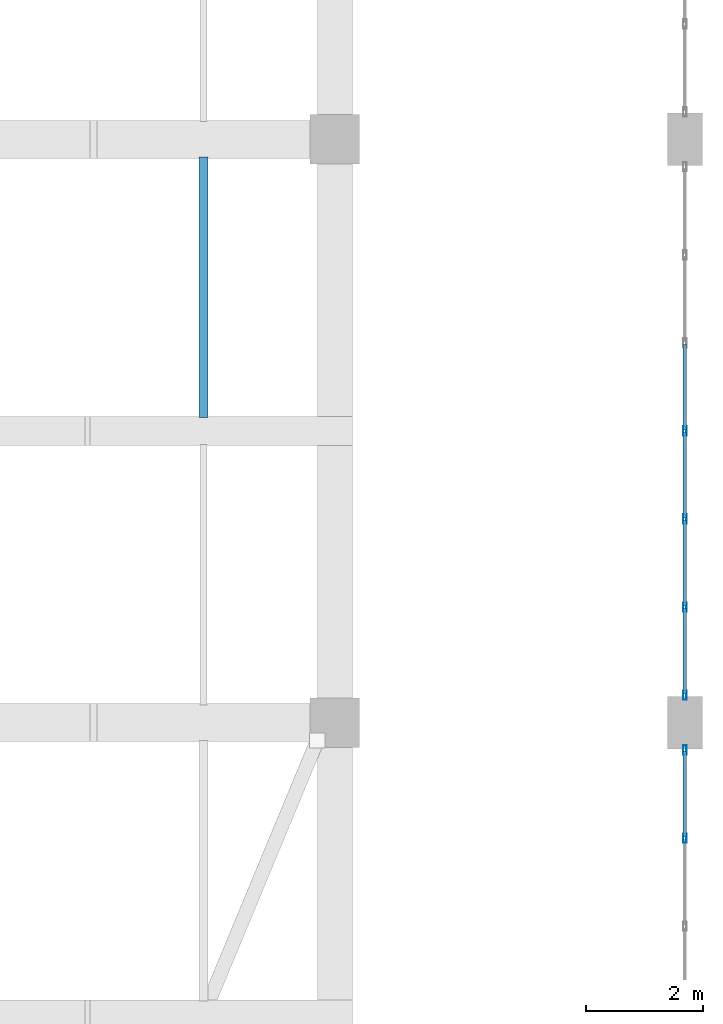
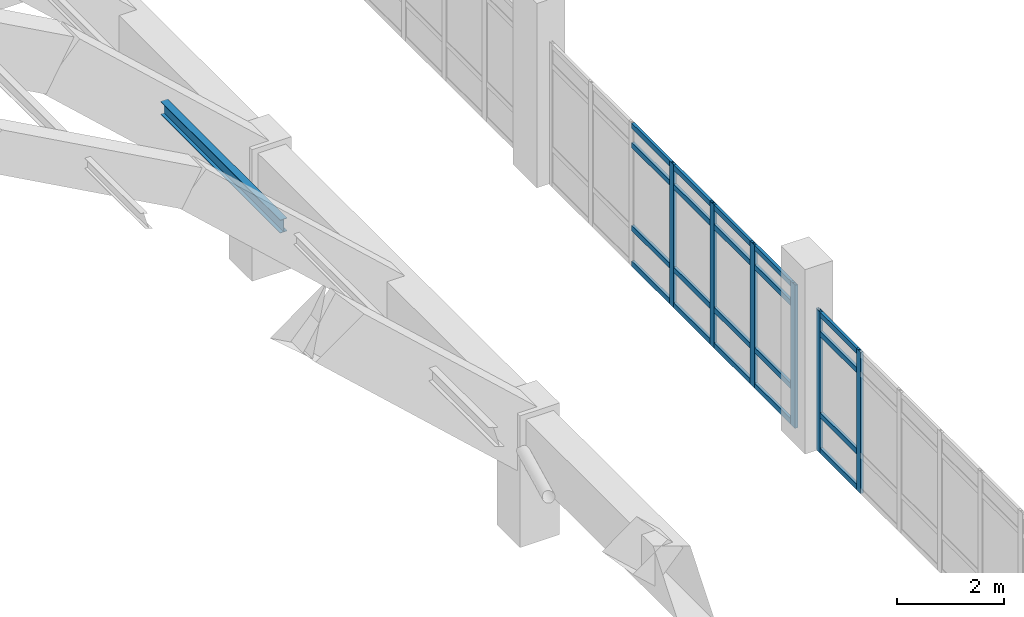
# One storey, part 72 of 111: 27 members, 2 elements without a shape of their own.
"""IFC4 building model written with IfcOpenShell, lengths in metres."""

from ifc_helpers import new_model, si_unit, direction, frame, origin, origin_2d, place, context, subcontext, project, spatial, hollow_rectangle, i_section, extrude, material, layer, layer_set, material_profile, profile_set, type_object, element, aggregate, save


model = new_model("IFC4")

# Units and contexts
model_context = context("Model", 3, precision=1e-05, world=origin(), true_north=direction((0.0, 1.0)))
body_context = subcontext(model_context, "Body", "Model", "MODEL_VIEW")
ifc_project = project(units=[si_unit("LENGTHUNIT", "METRE"), si_unit("AREAUNIT", "SQUARE_METRE"), si_unit("VOLUMEUNIT", "CUBIC_METRE"), si_unit("PLANEANGLEUNIT", "RADIAN"), si_unit("MASSUNIT", "GRAM", prefix="KILO")], contexts=[model_context])

# Site, building, storey
site_placement = place(None, origin())
site = spatial("IfcSite", under=ifc_project, at=site_placement, CompositionType="ELEMENT")
building_placement = place(site_placement, origin())
building = spatial("IfcBuilding", under=site, at=building_placement, Name="Mersad Railyard Sports Hall", CompositionType="ELEMENT")
storey_placement = place(building_placement, frame((0.0, 0.0, 9.0)))
storey = spatial("IfcBuildingStorey", under=building, at=storey_placement, Name="L02", CompositionType="ELEMENT", Elevation=9.0)

# Curtain wall, members
ifc_material_1 = material(Name="Aluminium 6063-T6", Category="aluminium")
ifc_layer_1 = layer(ifc_material_1, 0.159912109375)
ifc_layer_set_1 = layer_set([ifc_layer_1], Name="Aluminium 6063-T6")
curtain_wall_type_1 = type_object("IfcCurtainWallType", Name="ARC-CW-CW15", PredefinedType="USERDEFINED", material=ifc_layer_set_1)
curtain_wall_1_placement = place(storey_placement, origin())
curtain_wall_1 = element("IfcCurtainWall", 1, at=curtain_wall_1_placement, inside=storey, type_object=curtain_wall_type_1, Name="Curtain wall CW15-0045", ObjectType="CURTAIN WALL", PredefinedType="USERDEFINED")
ifc_material_profile_1 = material_profile(ifc_material_1, hollow_rectangle(XDim=0.06005859375, YDim=0.159912109375, WallThickness=0.00390625, at=origin_2d()), Name="AL MULLION 60x160x4")
ifc_profile_set_1 = profile_set([ifc_material_profile_1], Name="Aluminium 6063-T6")
member_type_1 = type_object("IfcMemberType", Name="ARC-CW-MUL01", PredefinedType="MULLION", material=ifc_profile_set_1)
member_1_placement = place(storey_placement, frame((179.0, 13.030029296875, -0.02001953125), z_axis=(0.0, 0.0, 1.0), x_axis=(1.0, 0.0, 0.0)))
member_1 = element("IfcMember", 2, at=member_1_placement, type_object=member_type_1, Name="CW15 Mullion 1", PredefinedType="MULLION", context=body_context, shape_type="SweptSolid", body=[
    extrude(hollow_rectangle(XDim=0.06005859375, YDim=0.159912109375, WallThickness=0.00390625, at=origin_2d()), origin(), (0.0, 0.0, 1.0), 3.219970703125),
])
member_2_placement = place(storey_placement, frame((179.0, 11.52001953125, -0.02001953125), z_axis=(0.0, 0.0, 1.0), x_axis=(1.0, 0.0, 0.0)))
member_2 = element("IfcMember", 3, at=member_2_placement, type_object=member_type_1, Name="CW15 Mullion 2", PredefinedType="MULLION", context=body_context, shape_type="SweptSolid", body=[
    extrude(hollow_rectangle(XDim=0.06005859375, YDim=0.159912109375, WallThickness=0.00390625, at=origin_2d()), origin(), (0.0, 0.0, 1.0), 3.219970703125),
])

ifc_layer_2 = layer(ifc_material_1, 0.159912109375)
ifc_layer_set_2 = layer_set([ifc_layer_2], Name="Aluminium 6063-T6")
curtain_wall_type_2 = type_object("IfcCurtainWallType", Name="ARC-CW-CW16", PredefinedType="USERDEFINED", material=ifc_layer_set_2)
curtain_wall_2_placement = place(storey_placement, origin())
curtain_wall_2 = element("IfcCurtainWall", 4, at=curtain_wall_2_placement, inside=storey, type_object=curtain_wall_type_2, Name="Curtain wall CW16-0047", ObjectType="CURTAIN WALL", PredefinedType="USERDEFINED")
member_3_placement = place(storey_placement, frame((179.0, 18.5, -0.02001953125), z_axis=(0.0, 0.0, 1.0), x_axis=(1.0, 0.0, 0.0)))
member_3 = element("IfcMember", 5, at=member_3_placement, type_object=member_type_1, Name="CW16 Mullion 4", PredefinedType="MULLION", context=body_context, shape_type="SweptSolid", body=[
    extrude(hollow_rectangle(XDim=0.06005859375, YDim=0.159912109375, WallThickness=0.00390625, at=origin_2d()), origin(), (0.0, 0.0, 1.0), 3.260009765625),
])
member_4_placement = place(storey_placement, frame((179.0, 16.989990234375, -0.02001953125), z_axis=(0.0, 0.0, 1.0), x_axis=(1.0, 0.0, 0.0)))
member_4 = element("IfcMember", 6, at=member_4_placement, type_object=member_type_1, Name="CW16 Mullion 5", PredefinedType="MULLION", context=body_context, shape_type="SweptSolid", body=[
    extrude(hollow_rectangle(XDim=0.06005859375, YDim=0.159912109375, WallThickness=0.00390625, at=origin_2d()), origin(), (0.0, 0.0, 1.0), 3.260009765625),
])
member_5_placement = place(storey_placement, frame((179.0, 15.47998046875, -0.02001953125), z_axis=(0.0, 0.0, 1.0), x_axis=(1.0, 0.0, 0.0)))
member_5 = element("IfcMember", 7, at=member_5_placement, type_object=member_type_1, Name="CW16 Mullion 6", PredefinedType="MULLION", context=body_context, shape_type="SweptSolid", body=[
    extrude(hollow_rectangle(XDim=0.06005859375, YDim=0.159912109375, WallThickness=0.00390625, at=origin_2d()), origin(), (0.0, 0.0, 1.0), 3.260009765625),
])
member_6_placement = place(storey_placement, frame((179.0, 13.969970703125, -0.02001953125), z_axis=(0.0, 0.0, 1.0), x_axis=(1.0, 0.0, 0.0)))
member_6 = element("IfcMember", 8, at=member_6_placement, type_object=member_type_1, Name="CW16 Mullion 7", PredefinedType="MULLION", context=body_context, shape_type="SweptSolid", body=[
    extrude(hollow_rectangle(XDim=0.06005859375, YDim=0.159912109375, WallThickness=0.00390625, at=origin_2d()), origin(), (0.0, 0.0, 1.0), 3.260009765625),
])

# Member
ifc_material_profile_2 = material_profile(ifc_material_1, hollow_rectangle(XDim=0.06005859375, YDim=0.1201171875, WallThickness=0.00390625, at=origin_2d()), Name="AL TRANSOM 60x120x4")
ifc_profile_set_2 = profile_set([ifc_material_profile_2], Name="Aluminium 6063-T6")
member_type_2 = type_object("IfcMemberType", Name="ARC-CW-TRN01", PredefinedType="USERDEFINED", material=ifc_profile_set_2)
member_7_placement = place(storey_placement, frame((179.0, 13.010009765625, 0.0400390625), z_axis=(0.0, -1.0, 0.0), x_axis=(1.0, 0.0, 0.0)))
member_7 = element("IfcMember", 9, at=member_7_placement, type_object=member_type_2, Name="CW15 Transom 1-1", ObjectType="TRANSOM", PredefinedType="USERDEFINED", context=body_context, shape_type="SweptSolid", body=[
    extrude(hollow_rectangle(XDim=0.06005859375, YDim=0.1201171875, WallThickness=0.00390625, at=origin_2d()), origin(), (0.0, 0.0, 1.0), 1.469970703125),
])

member_8_placement = place(storey_placement, frame((179.0, 13.010009765625, 0.85009765625), z_axis=(0.0, -1.0, 0.0), x_axis=(1.0, 0.0, 0.0)))
member_8 = element("IfcMember", 10, at=member_8_placement, type_object=member_type_2, Name="CW15 Transom 2-1", ObjectType="TRANSOM", PredefinedType="USERDEFINED", context=body_context, shape_type="SweptSolid", body=[
    extrude(hollow_rectangle(XDim=0.06005859375, YDim=0.1201171875, WallThickness=0.00390625, at=origin_2d()), origin(), (0.0, 0.0, 1.0), 1.469970703125),
])

member_9_placement = place(storey_placement, frame((179.0, 13.010009765625, 2.699951171875), z_axis=(0.0, -1.0, 0.0), x_axis=(1.0, 0.0, 0.0)))
member_9 = element("IfcMember", 11, at=member_9_placement, type_object=member_type_2, Name="CW15 Transom 3-1", ObjectType="TRANSOM", PredefinedType="USERDEFINED", context=body_context, shape_type="SweptSolid", body=[
    extrude(hollow_rectangle(XDim=0.06005859375, YDim=0.1201171875, WallThickness=0.00390625, at=origin_2d()), origin(), (0.0, 0.0, 1.0), 1.469970703125),
])

member_10_placement = place(storey_placement, frame((179.0, 13.010009765625, 3.139892578125), z_axis=(0.0, -1.0, 0.0), x_axis=(1.0, 0.0, 0.0)))
member_10 = element("IfcMember", 12, at=member_10_placement, type_object=member_type_2, Name="CW15 Transom 4-1", ObjectType="TRANSOM", PredefinedType="USERDEFINED", context=body_context, shape_type="SweptSolid", body=[
    extrude(hollow_rectangle(XDim=0.06005859375, YDim=0.1201171875, WallThickness=0.00390625, at=origin_2d()), origin(), (0.0, 0.0, 1.0), 1.469970703125),
])

aggregate(curtain_wall_1, [member_1, member_2, member_7, member_8, member_9, member_10])

member_11_placement = place(storey_placement, frame((179.0, 19.989990234375, 0.0400390625), z_axis=(0.0, -1.0, 0.0), x_axis=(1.0, 0.0, 0.0)))
member_11 = element("IfcMember", 13, at=member_11_placement, type_object=member_type_2, Name="CW16 Transom 1-3", ObjectType="TRANSOM", PredefinedType="USERDEFINED", context=body_context, shape_type="SweptSolid", body=[
    extrude(hollow_rectangle(XDim=0.06005859375, YDim=0.1201171875, WallThickness=0.00390625, at=origin_2d()), origin(), (0.0, 0.0, 1.0), 1.469970703125),
])

member_12_placement = place(storey_placement, frame((179.0, 18.47998046875, 0.0400390625), z_axis=(0.0, -1.0, 0.0), x_axis=(1.0, 0.0, 0.0)))
member_12 = element("IfcMember", 14, at=member_12_placement, type_object=member_type_2, Name="CW16 Transom 1-4", ObjectType="TRANSOM", PredefinedType="USERDEFINED", context=body_context, shape_type="SweptSolid", body=[
    extrude(hollow_rectangle(XDim=0.06005859375, YDim=0.1201171875, WallThickness=0.00390625, at=origin_2d()), origin(), (0.0, 0.0, 1.0), 1.469970703125),
])

member_13_placement = place(storey_placement, frame((179.0, 16.969970703125, 0.0400390625), z_axis=(0.0, -1.0, 0.0), x_axis=(1.0, 0.0, 0.0)))
member_13 = element("IfcMember", 15, at=member_13_placement, type_object=member_type_2, Name="CW16 Transom 1-5", ObjectType="TRANSOM", PredefinedType="USERDEFINED", context=body_context, shape_type="SweptSolid", body=[
    extrude(hollow_rectangle(XDim=0.06005859375, YDim=0.1201171875, WallThickness=0.00390625, at=origin_2d()), origin(), (0.0, 0.0, 1.0), 1.469970703125),
])

member_14_placement = place(storey_placement, frame((179.0, 15.4599609375, 0.0400390625), z_axis=(0.0, -1.0, 0.0), x_axis=(1.0, 0.0, 0.0)))
member_14 = element("IfcMember", 16, at=member_14_placement, type_object=member_type_2, Name="CW16 Transom 1-6", ObjectType="TRANSOM", PredefinedType="USERDEFINED", context=body_context, shape_type="SweptSolid", body=[
    extrude(hollow_rectangle(XDim=0.06005859375, YDim=0.1201171875, WallThickness=0.00390625, at=origin_2d()), origin(), (0.0, 0.0, 1.0), 1.469970703125),
])

member_15_placement = place(storey_placement, frame((179.0, 19.989990234375, 0.85009765625), z_axis=(0.0, -1.0, 0.0), x_axis=(1.0, 0.0, 0.0)))
member_15 = element("IfcMember", 17, at=member_15_placement, type_object=member_type_2, Name="CW16 Transom 2-3", ObjectType="TRANSOM", PredefinedType="USERDEFINED", context=body_context, shape_type="SweptSolid", body=[
    extrude(hollow_rectangle(XDim=0.06005859375, YDim=0.1201171875, WallThickness=0.00390625, at=origin_2d()), origin(), (0.0, 0.0, 1.0), 1.469970703125),
])

member_16_placement = place(storey_placement, frame((179.0, 18.47998046875, 0.85009765625), z_axis=(0.0, -1.0, 0.0), x_axis=(1.0, 0.0, 0.0)))
member_16 = element("IfcMember", 18, at=member_16_placement, type_object=member_type_2, Name="CW16 Transom 2-4", ObjectType="TRANSOM", PredefinedType="USERDEFINED", context=body_context, shape_type="SweptSolid", body=[
    extrude(hollow_rectangle(XDim=0.06005859375, YDim=0.1201171875, WallThickness=0.00390625, at=origin_2d()), origin(), (0.0, 0.0, 1.0), 1.469970703125),
])

member_17_placement = place(storey_placement, frame((179.0, 16.969970703125, 0.85009765625), z_axis=(0.0, -1.0, 0.0), x_axis=(1.0, 0.0, 0.0)))
member_17 = element("IfcMember", 19, at=member_17_placement, type_object=member_type_2, Name="CW16 Transom 2-5", ObjectType="TRANSOM", PredefinedType="USERDEFINED", context=body_context, shape_type="SweptSolid", body=[
    extrude(hollow_rectangle(XDim=0.06005859375, YDim=0.1201171875, WallThickness=0.00390625, at=origin_2d()), origin(), (0.0, 0.0, 1.0), 1.469970703125),
])

member_18_placement = place(storey_placement, frame((179.0, 15.4599609375, 0.85009765625), z_axis=(0.0, -1.0, 0.0), x_axis=(1.0, 0.0, 0.0)))
member_18 = element("IfcMember", 20, at=member_18_placement, type_object=member_type_2, Name="CW16 Transom 2-6", ObjectType="TRANSOM", PredefinedType="USERDEFINED", context=body_context, shape_type="SweptSolid", body=[
    extrude(hollow_rectangle(XDim=0.06005859375, YDim=0.1201171875, WallThickness=0.00390625, at=origin_2d()), origin(), (0.0, 0.0, 1.0), 1.469970703125),
])

member_19_placement = place(storey_placement, frame((179.0, 19.989990234375, 2.739990234375), z_axis=(0.0, -1.0, 0.0), x_axis=(1.0, 0.0, 0.0)))
member_19 = element("IfcMember", 21, at=member_19_placement, type_object=member_type_2, Name="CW16 Transom 3-3", ObjectType="TRANSOM", PredefinedType="USERDEFINED", context=body_context, shape_type="SweptSolid", body=[
    extrude(hollow_rectangle(XDim=0.06005859375, YDim=0.1201171875, WallThickness=0.00390625, at=origin_2d()), origin(), (0.0, 0.0, 1.0), 1.469970703125),
])

member_20_placement = place(storey_placement, frame((179.0, 18.47998046875, 2.739990234375), z_axis=(0.0, -1.0, 0.0), x_axis=(1.0, 0.0, 0.0)))
member_20 = element("IfcMember", 22, at=member_20_placement, type_object=member_type_2, Name="CW16 Transom 3-4", ObjectType="TRANSOM", PredefinedType="USERDEFINED", context=body_context, shape_type="SweptSolid", body=[
    extrude(hollow_rectangle(XDim=0.06005859375, YDim=0.1201171875, WallThickness=0.00390625, at=origin_2d()), origin(), (0.0, 0.0, 1.0), 1.469970703125),
])

member_21_placement = place(storey_placement, frame((179.0, 16.969970703125, 2.739990234375), z_axis=(0.0, -1.0, 0.0), x_axis=(1.0, 0.0, 0.0)))
member_21 = element("IfcMember", 23, at=member_21_placement, type_object=member_type_2, Name="CW16 Transom 3-5", ObjectType="TRANSOM", PredefinedType="USERDEFINED", context=body_context, shape_type="SweptSolid", body=[
    extrude(hollow_rectangle(XDim=0.06005859375, YDim=0.1201171875, WallThickness=0.00390625, at=origin_2d()), origin(), (0.0, 0.0, 1.0), 1.469970703125),
])

member_22_placement = place(storey_placement, frame((179.0, 15.4599609375, 2.739990234375), z_axis=(0.0, -1.0, 0.0), x_axis=(1.0, 0.0, 0.0)))
member_22 = element("IfcMember", 24, at=member_22_placement, type_object=member_type_2, Name="CW16 Transom 3-6", ObjectType="TRANSOM", PredefinedType="USERDEFINED", context=body_context, shape_type="SweptSolid", body=[
    extrude(hollow_rectangle(XDim=0.06005859375, YDim=0.1201171875, WallThickness=0.00390625, at=origin_2d()), origin(), (0.0, 0.0, 1.0), 1.469970703125),
])

member_23_placement = place(storey_placement, frame((179.0, 19.989990234375, 3.179931640625), z_axis=(0.0, -1.0, 0.0), x_axis=(1.0, 0.0, 0.0)))
member_23 = element("IfcMember", 25, at=member_23_placement, type_object=member_type_2, Name="CW16 Transom 4-3", ObjectType="TRANSOM", PredefinedType="USERDEFINED", context=body_context, shape_type="SweptSolid", body=[
    extrude(hollow_rectangle(XDim=0.06005859375, YDim=0.1201171875, WallThickness=0.00390625, at=origin_2d()), origin(), (0.0, 0.0, 1.0), 1.469970703125),
])

member_24_placement = place(storey_placement, frame((179.0, 18.47998046875, 3.179931640625), z_axis=(0.0, -1.0, 0.0), x_axis=(1.0, 0.0, 0.0)))
member_24 = element("IfcMember", 26, at=member_24_placement, type_object=member_type_2, Name="CW16 Transom 4-4", ObjectType="TRANSOM", PredefinedType="USERDEFINED", context=body_context, shape_type="SweptSolid", body=[
    extrude(hollow_rectangle(XDim=0.06005859375, YDim=0.1201171875, WallThickness=0.00390625, at=origin_2d()), origin(), (0.0, 0.0, 1.0), 1.469970703125),
])

member_25_placement = place(storey_placement, frame((179.0, 16.969970703125, 3.179931640625), z_axis=(0.0, -1.0, 0.0), x_axis=(1.0, 0.0, 0.0)))
member_25 = element("IfcMember", 27, at=member_25_placement, type_object=member_type_2, Name="CW16 Transom 4-5", ObjectType="TRANSOM", PredefinedType="USERDEFINED", context=body_context, shape_type="SweptSolid", body=[
    extrude(hollow_rectangle(XDim=0.06005859375, YDim=0.1201171875, WallThickness=0.00390625, at=origin_2d()), origin(), (0.0, 0.0, 1.0), 1.469970703125),
])

member_26_placement = place(storey_placement, frame((179.0, 15.4599609375, 3.179931640625), z_axis=(0.0, -1.0, 0.0), x_axis=(1.0, 0.0, 0.0)))
member_26 = element("IfcMember", 28, at=member_26_placement, type_object=member_type_2, Name="CW16 Transom 4-6", ObjectType="TRANSOM", PredefinedType="USERDEFINED", context=body_context, shape_type="SweptSolid", body=[
    extrude(hollow_rectangle(XDim=0.06005859375, YDim=0.1201171875, WallThickness=0.00390625, at=origin_2d()), origin(), (0.0, 0.0, 1.0), 1.469970703125),
])

aggregate(curtain_wall_2, [member_3, member_4, member_5, member_6, member_11, member_12, member_13, member_14, member_15, member_16, member_17, member_18, member_19, member_20, member_21, member_22, member_23, member_24, member_25, member_26])

ifc_material_2 = material(Name="Steel S355", Category="steel")
ifc_material_profile_3 = material_profile(ifc_material_2, i_section(OverallWidth=0.14990234375, OverallDepth=0.300048828125, WebThickness=0.007080078125, FlangeThickness=0.0107421875, at=origin_2d()), Name="IPE 300")
ifc_profile_set_3 = profile_set([ifc_material_profile_3], Name="Steel S355")
member_type_3 = type_object("IfcMemberType", Name="STR-MEM-PU02", PredefinedType="PURLIN", material=ifc_profile_set_3)
member_27_placement = place(storey_placement, frame((170.75, 18.72998046875, 4.546142578125), z_axis=(0.0, 1.0, 0.0), x_axis=(-1.0, 0.0, 0.0)))
element("IfcMember", 29, at=member_27_placement, inside=storey, type_object=member_type_3, Name="Structural member PU02-0129", PredefinedType="PURLIN", context=body_context, shape_type="SweptSolid", body=[
    extrude(i_section(OverallWidth=0.14990234375, OverallDepth=0.300048828125, WebThickness=0.007080078125, FlangeThickness=0.0107421875, at=origin_2d()), origin(), (0.0, 0.0, 1.0), 4.465087890625),
])

save(model, "model.ifc")
